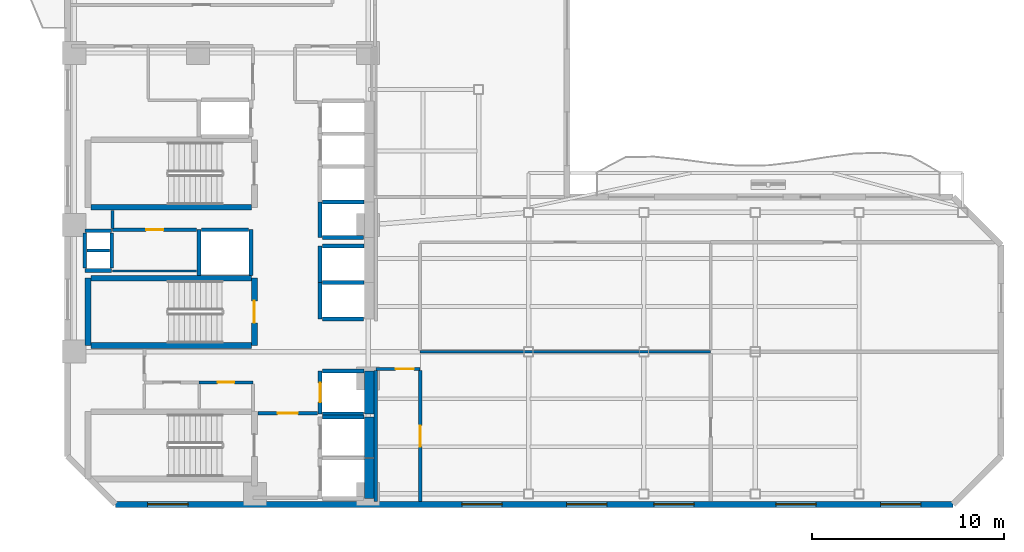
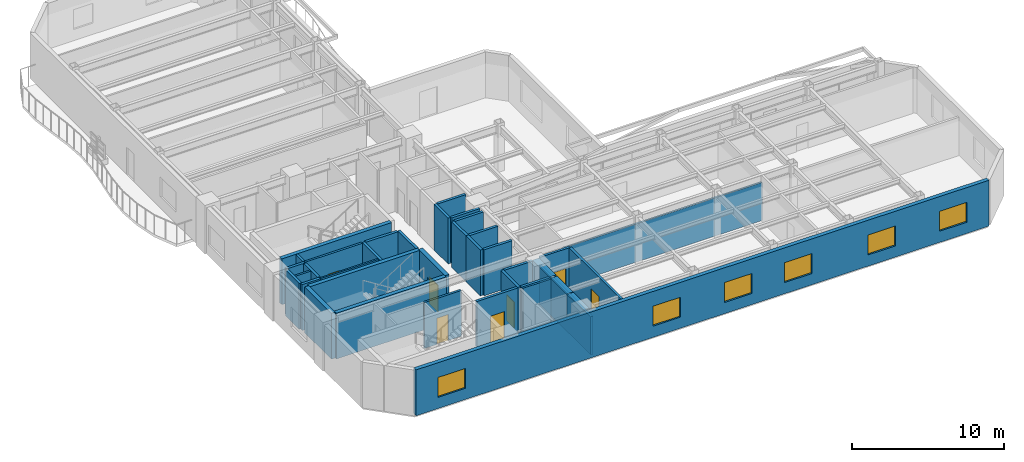
# One storey, part 3 of 9: 38 walls, 7 doors, 6 windows, 13 openings.
"""IFC4 building model written with IfcOpenShell, lengths in metres."""

from ifc_helpers import new_model, si_unit, direction, frame, frame_2d, origin, place, context, subcontext, project, spatial, rectangle, extrude, material, layer, layer_set, type_object, element, fill, save


model = new_model("IFC4")

# Units and contexts
model_context = context("Model", 3, precision=1e-05, world=origin(), true_north=direction((0.0, 1.0)))
body_context = subcontext(model_context, "Body", "Model", "MODEL_VIEW")
ifc_project = project(units=[si_unit("LENGTHUNIT", "METRE"), si_unit("AREAUNIT", "SQUARE_METRE"), si_unit("VOLUMEUNIT", "CUBIC_METRE"), si_unit("PLANEANGLEUNIT", "RADIAN"), si_unit("MASSUNIT", "GRAM", prefix="KILO")], contexts=[model_context])

# Site, building, storey
site_placement = place(None, origin())
site = spatial("IfcSite", under=ifc_project, at=site_placement, CompositionType="ELEMENT")
building_placement = place(site_placement, origin())
building = spatial("IfcBuilding", under=site, at=building_placement, Name="Mawjaban Terraces University", CompositionType="ELEMENT")
storey_placement = place(building_placement, frame((0.0, 0.0, 115.10009765625)))
storey = spatial("IfcBuildingStorey", under=building, at=storey_placement, Name="L27", CompositionType="ELEMENT", Elevation=115.10009765625)

# Wall, opening, door
ifc_material_1 = material(Name="Acoustic masonry blockwork", Category="masonry")
ifc_layer_1 = layer(ifc_material_1, 0.179931640625)
ifc_layer_set_1 = layer_set([ifc_layer_1], Name="Acoustic masonry blockwork")
wall_type_1 = type_object("IfcWallType", Name="AcousticStudioWall_180", PredefinedType="PARTITIONING", material=ifc_layer_set_1)
wall_1_placement = place(storey_placement, frame((38.050048828125, 7.050048828125, 0.0), z_axis=(0.0, 0.0, 1.0), x_axis=(1.0, 0.0, 0.0)))
wall_1 = element("IfcWall", 1, at=wall_1_placement, inside=storey, type_object=wall_type_1, Name="L27 Inner Gallery Link Corridor Partition 16", PredefinedType="PARTITIONING", context=body_context, shape_type="SweptSolid", body=[
    extrude(rectangle(XDim=2.300048828125, YDim=0.179931640625, at=frame_2d((1.14990234375, 0.0))), origin(), (0.0, 0.0, 1.0), 3.68994140625),
])
opening_1_placement = place(wall_1_placement, frame((1.02490234375, 0.0, 0.0)))
opening_1 = element("IfcOpeningElement", 2, at=opening_1_placement, cuts=wall_1, Name="Opening ID-095", PredefinedType="OPENING", context=body_context, shape_type="SweptSolid", body=[
    extrude(rectangle(XDim=0.949951171875, YDim=2.10009765625, at=frame_2d((0.47509765625, 1.050048828125))), frame((0.0, 0.099853515625, 0.0), z_axis=(0.0, -1.0, 0.0), x_axis=(1.0, 0.0, 0.0)), (0.0, 0.0, 1.0), 0.199951171875),
])
ifc_material_2 = material(Name="Powder-coated steel frame and solid acoustic timber leaf", Category="steel")
door_type_1 = type_object("IfcDoorType", Name="StudioDoor_950x2100", OperationType="NOTDEFINED", PredefinedType="DOOR", material=ifc_material_2)
door_1_placement = place(opening_1_placement, origin())
door_1 = element("IfcDoor", 3, at=door_1_placement, inside=storey, type_object=door_type_1, Name="L27 Design Studio 1 Door", OperationType="SINGLE_SWING_RIGHT", OverallHeight=2.10009765625, OverallWidth=0.949951171875, PredefinedType="DOOR", context=body_context, shape_type="SweptSolid", body=[
    extrude(rectangle(XDim=0.949951171875, YDim=2.10009765625, at=frame_2d((0.47509765625, 1.050048828125))), frame((0.0, 0.02490234375, 0.0), z_axis=(0.0, -1.0, 0.0), x_axis=(1.0, 0.0, 0.0)), (0.0, 0.0, 1.0), 0.050048828125),
])
fill(opening_1, door_1)

# Wall
wall_2_placement = place(storey_placement, frame((38.050048828125, 6.965087890625, 0.0), z_axis=(0.0, 0.0, 1.0), x_axis=(0.0, -1.0, 0.0)))
element("IfcWall", 4, at=wall_2_placement, inside=storey, type_object=wall_type_1, Name="L27 Design Studio 1 Partition 38", PredefinedType="PARTITIONING", context=body_context, shape_type="SweptSolid", body=[
    extrude(rectangle(XDim=6.820068359375, YDim=0.179931640625, at=frame_2d((3.41015625, 0.0))), origin(), (0.0, 0.0, 1.0), 3.072998046875),
])

# Wall, opening, door
wall_3_placement = place(storey_placement, frame((40.35009765625, 0.14501953125, 0.0), z_axis=(0.0, 0.0, 1.0), x_axis=(0.0, 1.0, 0.0)))
wall_3 = element("IfcWall", 5, at=wall_3_placement, inside=storey, type_object=wall_type_1, Name="L27 Design Studio 1 Partition 41", PredefinedType="PARTITIONING", context=body_context, shape_type="SweptSolid", body=[
    extrude(rectangle(XDim=6.820068359375, YDim=0.179931640625, at=frame_2d((3.41015625, 0.0))), origin(), (0.0, 0.0, 1.0), 3.68994140625),
])
opening_2_placement = place(wall_3_placement, frame((2.860107421875, 0.0, 0.0)))
opening_2 = element("IfcOpeningElement", 6, at=opening_2_placement, cuts=wall_3, Name="Opening ID-110", PredefinedType="OPENING", context=body_context, shape_type="SweptSolid", body=[
    extrude(rectangle(XDim=1.10009765625, YDim=2.14990234375, at=frame_2d((0.550048828125, 1.074951171875))), frame((0.0, 0.099853515625, 0.0), z_axis=(0.0, -1.0, 0.0), x_axis=(1.0, 0.0, 0.0)), (0.0, 0.0, 1.0), 0.199951171875),
])
door_type_2 = type_object("IfcDoorType", Name="LabDoor_1100x2150", OperationType="NOTDEFINED", PredefinedType="DOOR", material=ifc_material_2)
door_2_placement = place(opening_2_placement, origin())
door_2 = element("IfcDoor", 7, at=door_2_placement, inside=storey, type_object=door_type_2, Name="L27 Computational Laboratory 2 Door", OperationType="SINGLE_SWING_LEFT", OverallHeight=2.14990234375, OverallWidth=1.10009765625, PredefinedType="DOOR", context=body_context, shape_type="SweptSolid", body=[
    extrude(rectangle(XDim=1.10009765625, YDim=2.14990234375, at=frame_2d((0.550048828125, 1.074951171875))), frame((0.0, 0.02490234375, 0.0), z_axis=(0.0, -1.0, 0.0), x_axis=(1.0, 0.0, 0.0)), (0.0, 0.0, 1.0), 0.050048828125),
])
fill(opening_2, door_2)

# Walls
ifc_material_3 = material(Name="Concrete C60/75", Category="concrete")
ifc_layer_2 = layer(ifc_material_3, 0.5)
ifc_layer_set_2 = layer_set([ifc_layer_2], Name="Concrete C60/75")
wall_type_2 = type_object("IfcWallType", Name="CoreShearWall_500", PredefinedType="SHEAR", material=ifc_layer_set_2)
wall_4_placement = place(storey_placement, frame((37.699951171875, 0.300048828125, 0.0), z_axis=(0.0, 0.0, 1.0), x_axis=(0.0, 1.0, 0.0)))
element("IfcWall", 8, at=wall_4_placement, inside=storey, type_object=wall_type_2, Name="L27 Lift FL-1 Hoistway Wall East", PredefinedType="SHEAR", context=body_context, shape_type="SweptSolid", body=[
    extrude(rectangle(XDim=2.099853515625, YDim=0.5, at=frame_2d((1.0498046875, 0.0))), origin(), (0.0, 0.0, 1.0), 3.68994140625),
])
wall_5_placement = place(storey_placement, frame((37.699951171875, 2.449951171875, 0.0), z_axis=(0.0, 0.0, 1.0), x_axis=(0.0, 1.0, 0.0)))
element("IfcWall", 9, at=wall_5_placement, inside=storey, type_object=wall_type_2, Name="L27 Lift FL-2 Hoistway Wall East", PredefinedType="SHEAR", context=body_context, shape_type="SweptSolid", body=[
    extrude(rectangle(XDim=2.10009765625, YDim=0.5, at=frame_2d((1.050048828125, 0.0))), origin(), (0.0, 0.0, 1.0), 3.68994140625),
])
wall_6_placement = place(storey_placement, frame((37.699951171875, 4.699951171875, 0.0), z_axis=(0.0, 0.0, 1.0), x_axis=(0.0, 1.0, 0.0)))
element("IfcWall", 10, at=wall_6_placement, inside=storey, type_object=wall_type_2, Name="L27 Lift SL-1 Hoistway Wall East", PredefinedType="SHEAR", context=body_context, shape_type="SweptSolid", body=[
    extrude(rectangle(XDim=2.25, YDim=0.5, at=frame_2d((1.125, 0.0))), origin(), (0.0, 0.0, 1.0), 3.68994140625),
])

# Wall, opening, door
ifc_material_4 = material(Name="Fire-rated gypsum board on steel stud", Category="steel")
ifc_layer_3 = layer(ifc_material_4, 0.159912109375)
ifc_layer_set_3 = layer_set([ifc_layer_3], Name="Fire-rated gypsum board on steel stud")
wall_type_3 = type_object("IfcWallType", Name="CorridorPartition_160", PredefinedType="PARTITIONING", material=ifc_layer_set_3)
wall_7_placement = place(storey_placement, frame((24.35009765625, 14.300048828125, 0.0), z_axis=(0.0, 0.0, 1.0), x_axis=(1.0, 0.0, 0.0)))
wall_7 = element("IfcWall", 11, at=wall_7_placement, inside=storey, type_object=wall_type_3, Name="L27 Core Riser Access Passage Partition 2", PredefinedType="PARTITIONING", context=body_context, shape_type="SweptSolid", body=[
    extrude(rectangle(XDim=4.369873046875, YDim=0.159912109375, at=frame_2d((2.18505859375, 0.0))), origin(), (0.0, 0.0, 1.0), 3.68994140625),
])
opening_3_placement = place(wall_7_placement, frame((1.735107421875, 0.0, 0.0)))
opening_3 = element("IfcOpeningElement", 12, at=opening_3_placement, cuts=wall_7, Name="Opening ID-090", PredefinedType="OPENING", context=body_context, shape_type="SweptSolid", body=[
    extrude(rectangle(XDim=0.89990234375, YDim=2.10009765625, at=frame_2d((0.449951171875, 1.050048828125))), frame((0.0, 0.08984375, 0.0), z_axis=(0.0, -1.0, 0.0), x_axis=(1.0, 0.0, 0.0)), (0.0, 0.0, 1.0), 0.179931640625),
])
door_type_3 = type_object("IfcDoorType", Name="OfficeDoor_900x2100", OperationType="NOTDEFINED", PredefinedType="DOOR", material=ifc_material_2)
door_3_placement = place(opening_3_placement, origin())
door_3 = element("IfcDoor", 13, at=door_3_placement, inside=storey, type_object=door_type_3, Name="L27 Cleaner Store Door", OperationType="SINGLE_SWING_RIGHT", OverallHeight=2.10009765625, OverallWidth=0.89990234375, PredefinedType="DOOR", context=body_context, shape_type="SweptSolid", body=[
    extrude(rectangle(XDim=0.89990234375, YDim=2.10009765625, at=frame_2d((0.449951171875, 1.050048828125))), frame((0.0, 0.02490234375, 0.0), z_axis=(0.0, -1.0, 0.0), x_axis=(1.0, 0.0, 0.0)), (0.0, 0.0, 1.0), 0.050048828125),
])
fill(opening_3, door_3)

wall_8_placement = place(storey_placement, frame((28.85009765625, 6.35009765625, 0.0), z_axis=(0.0, 0.0, 1.0), x_axis=(1.0, 0.0, 0.0)))
wall_8 = element("IfcWall", 14, at=wall_8_placement, inside=storey, type_object=wall_type_3, Name="L27 Core Washroom Lobby Partition 6", PredefinedType="PARTITIONING", context=body_context, shape_type="SweptSolid", body=[
    extrude(rectangle(XDim=2.7998046875, YDim=0.159912109375, at=frame_2d((1.39990234375, 0.0))), origin(), (0.0, 0.0, 1.0), 3.68994140625),
])
opening_4_placement = place(wall_8_placement, frame((0.9599609375, 0.0, 0.0)))
opening_4 = element("IfcOpeningElement", 15, at=opening_4_placement, cuts=wall_8, Name="Opening ID-088", PredefinedType="OPENING", context=body_context, shape_type="SweptSolid", body=[
    extrude(rectangle(XDim=0.8798828125, YDim=2.10009765625, at=frame_2d((0.43994140625, 1.050048828125))), frame((0.0, 0.08984375, 0.0), z_axis=(0.0, -1.0, 0.0), x_axis=(1.0, 0.0, 0.0)), (0.0, 0.0, 1.0), 0.179931640625),
])
door_type_4 = type_object("IfcDoorType", Name="ToiletDoor_880x2100", OperationType="NOTDEFINED", PredefinedType="DOOR", material=ifc_material_2)
door_4_placement = place(opening_4_placement, origin())
door_4 = element("IfcDoor", 16, at=door_4_placement, inside=storey, type_object=door_type_4, Name="L27 Accessible Toilet Door", OperationType="SINGLE_SWING_LEFT", OverallHeight=2.10009765625, OverallWidth=0.8798828125, PredefinedType="DOOR", context=body_context, shape_type="SweptSolid", body=[
    extrude(rectangle(XDim=0.8798828125, YDim=2.10009765625, at=frame_2d((0.43994140625, 1.050048828125))), frame((0.0, 0.02490234375, 0.0), z_axis=(0.0, -1.0, 0.0), x_axis=(1.0, 0.0, 0.0)), (0.0, 0.0, 1.0), 0.050048828125),
])
fill(opening_4, door_4)

# Wall
wall_9_placement = place(storey_placement, frame((24.35009765625, 15.2900390625, 0.0), z_axis=(0.0, 0.0, 1.0), x_axis=(0.0, -1.0, 0.0)))
element("IfcWall", 17, at=wall_9_placement, inside=storey, type_object=wall_type_3, Name="L27 Core Riser Access Passage Partition 23", PredefinedType="PARTITIONING", context=body_context, shape_type="SweptSolid", body=[
    extrude(rectangle(XDim=0.9150390625, YDim=0.159912109375, at=frame_2d((0.45751953125, 0.0))), origin(), (0.0, 0.0, 1.0), 3.68994140625),
])

# Wall, openings, windows
ifc_material_5 = material(Name="Insulated terracotta rainscreen on concrete backup C40/50", Category="masonry")
ifc_layer_4 = layer(ifc_material_5, 0.300048828125)
ifc_layer_set_4 = layer_set([ifc_layer_4], Name="Insulated terracotta rainscreen on concrete backup C40/50")
wall_type_4 = type_object("IfcWallType", Name="ExtTerracottaWall_300", PredefinedType="SOLIDWALL", material=ifc_layer_set_4)
wall_10_placement = place(storey_placement, frame((24.5, 0.0, 0.0), z_axis=(0.0, 0.0, 1.0), x_axis=(1.0, 0.0, 0.0)))
wall_10 = element("IfcWall", 18, at=wall_10_placement, inside=storey, type_object=wall_type_4, Name="L27 Exterior Terracotta Wall 1", PredefinedType="SOLIDWALL", context=body_context, shape_type="SweptSolid", body=[
    extrude(rectangle(XDim=43.60009765625, YDim=0.300048828125, at=frame_2d((21.800048828125, 0.0))), origin(), (0.0, 0.0, 1.0), 3.68994140625),
])
opening_5_placement = place(wall_10_placement, frame((1.675048828125, 0.0, 0.89990234375)))
opening_5 = element("IfcOpeningElement", 19, at=opening_5_placement, cuts=wall_10, Name="Opening W-04", PredefinedType="OPENING", context=body_context, shape_type="SweptSolid", body=[
    extrude(rectangle(XDim=2.10009765625, YDim=1.60009765625, at=frame_2d((1.050048828125, 0.800048828125))), frame((0.0, 0.159912109375, 0.0), z_axis=(0.0, -1.0, 0.0), x_axis=(1.0, 0.0, 0.0)), (0.0, 0.0, 1.0), 0.320068359375),
])
opening_6_placement = place(wall_10_placement, frame((18.02490234375, 0.0, 0.89990234375)))
opening_6 = element("IfcOpeningElement", 20, at=opening_6_placement, cuts=wall_10, Name="Opening W-04", PredefinedType="OPENING", context=body_context, shape_type="SweptSolid", body=[
    extrude(rectangle(XDim=2.10009765625, YDim=1.60009765625, at=frame_2d((1.050048828125, 0.800048828125))), frame((0.0, 0.159912109375, 0.0), z_axis=(0.0, -1.0, 0.0), x_axis=(1.0, 0.0, 0.0)), (0.0, 0.0, 1.0), 0.320068359375),
])
opening_7_placement = place(wall_10_placement, frame((23.47509765625, 0.0, 0.89990234375)))
opening_7 = element("IfcOpeningElement", 21, at=opening_7_placement, cuts=wall_10, Name="Opening W-04", PredefinedType="OPENING", context=body_context, shape_type="SweptSolid", body=[
    extrude(rectangle(XDim=2.10009765625, YDim=1.60009765625, at=frame_2d((1.050048828125, 0.800048828125))), frame((0.0, 0.159912109375, 0.0), z_axis=(0.0, -1.0, 0.0), x_axis=(1.0, 0.0, 0.0)), (0.0, 0.0, 1.0), 0.320068359375),
])
opening_8_placement = place(wall_10_placement, frame((28.02490234375, 0.0, 0.89990234375)))
opening_8 = element("IfcOpeningElement", 22, at=opening_8_placement, cuts=wall_10, Name="Opening W-04", PredefinedType="OPENING", context=body_context, shape_type="SweptSolid", body=[
    extrude(rectangle(XDim=2.10009765625, YDim=1.60009765625, at=frame_2d((1.050048828125, 0.800048828125))), frame((0.0, 0.159912109375, 0.0), z_axis=(0.0, -1.0, 0.0), x_axis=(1.0, 0.0, 0.0)), (0.0, 0.0, 1.0), 0.320068359375),
])
opening_9_placement = place(wall_10_placement, frame((34.375, 0.0, 0.89990234375)))
opening_9 = element("IfcOpeningElement", 23, at=opening_9_placement, cuts=wall_10, Name="Opening W-04", PredefinedType="OPENING", context=body_context, shape_type="SweptSolid", body=[
    extrude(rectangle(XDim=2.10009765625, YDim=1.60009765625, at=frame_2d((1.050048828125, 0.800048828125))), frame((0.0, 0.159912109375, 0.0), z_axis=(0.0, -1.0, 0.0), x_axis=(1.0, 0.0, 0.0)), (0.0, 0.0, 1.0), 0.320068359375),
])
opening_10_placement = place(wall_10_placement, frame((39.824951171875, 0.0, 0.89990234375)))
opening_10 = element("IfcOpeningElement", 24, at=opening_10_placement, cuts=wall_10, Name="Opening W-04", PredefinedType="OPENING", context=body_context, shape_type="SweptSolid", body=[
    extrude(rectangle(XDim=2.10009765625, YDim=1.60009765625, at=frame_2d((1.050048828125, 0.800048828125))), frame((0.0, 0.159912109375, 0.0), z_axis=(0.0, -1.0, 0.0), x_axis=(1.0, 0.0, 0.0)), (0.0, 0.0, 1.0), 0.320068359375),
])
ifc_material_6 = material(Name="Low-E solar-control double glazing in thermally broken aluminium frame", Category="aluminium")
window_type = type_object("IfcWindowType", Name="Win_2100x1600", PartitioningType="SINGLE_PANEL", PredefinedType="WINDOW", material=ifc_material_6)
window_1_placement = place(opening_5_placement, origin())
window_1 = element("IfcWindow", 25, at=window_1_placement, inside=storey, type_object=window_type, Name="L27 Facade Window 1.1", OverallHeight=1.60009765625, OverallWidth=2.10009765625, PartitioningType="SINGLE_PANEL", PredefinedType="WINDOW", context=body_context, shape_type="SweptSolid", body=[
    extrude(rectangle(XDim=2.10009765625, YDim=1.60009765625, at=frame_2d((1.050048828125, 0.800048828125))), frame((0.0, 0.030029296875, 0.0), z_axis=(0.0, -1.0, 0.0), x_axis=(1.0, 0.0, 0.0)), (0.0, 0.0, 1.0), 0.06005859375),
])
fill(opening_5, window_1)
window_2_placement = place(opening_6_placement, origin())
window_2 = element("IfcWindow", 26, at=window_2_placement, inside=storey, type_object=window_type, Name="L27 Facade Window 1.4", OverallHeight=1.60009765625, OverallWidth=2.10009765625, PartitioningType="SINGLE_PANEL", PredefinedType="WINDOW", context=body_context, shape_type="SweptSolid", body=[
    extrude(rectangle(XDim=2.10009765625, YDim=1.60009765625, at=frame_2d((1.050048828125, 0.800048828125))), frame((0.0, 0.030029296875, 0.0), z_axis=(0.0, -1.0, 0.0), x_axis=(1.0, 0.0, 0.0)), (0.0, 0.0, 1.0), 0.06005859375),
])
fill(opening_6, window_2)
window_3_placement = place(opening_7_placement, origin())
window_3 = element("IfcWindow", 27, at=window_3_placement, inside=storey, type_object=window_type, Name="L27 Facade Window 1.5", OverallHeight=1.60009765625, OverallWidth=2.10009765625, PartitioningType="SINGLE_PANEL", PredefinedType="WINDOW", context=body_context, shape_type="SweptSolid", body=[
    extrude(rectangle(XDim=2.10009765625, YDim=1.60009765625, at=frame_2d((1.050048828125, 0.800048828125))), frame((0.0, 0.030029296875, 0.0), z_axis=(0.0, -1.0, 0.0), x_axis=(1.0, 0.0, 0.0)), (0.0, 0.0, 1.0), 0.06005859375),
])
fill(opening_7, window_3)
window_4_placement = place(opening_8_placement, origin())
window_4 = element("IfcWindow", 28, at=window_4_placement, inside=storey, type_object=window_type, Name="L27 Facade Window 1.6", OverallHeight=1.60009765625, OverallWidth=2.10009765625, PartitioningType="SINGLE_PANEL", PredefinedType="WINDOW", context=body_context, shape_type="SweptSolid", body=[
    extrude(rectangle(XDim=2.10009765625, YDim=1.60009765625, at=frame_2d((1.050048828125, 0.800048828125))), frame((0.0, 0.030029296875, 0.0), z_axis=(0.0, -1.0, 0.0), x_axis=(1.0, 0.0, 0.0)), (0.0, 0.0, 1.0), 0.06005859375),
])
fill(opening_8, window_4)
window_5_placement = place(opening_9_placement, origin())
window_5 = element("IfcWindow", 29, at=window_5_placement, inside=storey, type_object=window_type, Name="L27 Facade Window 1.7", OverallHeight=1.60009765625, OverallWidth=2.10009765625, PartitioningType="SINGLE_PANEL", PredefinedType="WINDOW", context=body_context, shape_type="SweptSolid", body=[
    extrude(rectangle(XDim=2.10009765625, YDim=1.60009765625, at=frame_2d((1.050048828125, 0.800048828125))), frame((0.0, 0.030029296875, 0.0), z_axis=(0.0, -1.0, 0.0), x_axis=(1.0, 0.0, 0.0)), (0.0, 0.0, 1.0), 0.06005859375),
])
fill(opening_9, window_5)
window_6_placement = place(opening_10_placement, origin())
window_6 = element("IfcWindow", 30, at=window_6_placement, inside=storey, type_object=window_type, Name="L27 Facade Window 1.8", OverallHeight=1.60009765625, OverallWidth=2.10009765625, PartitioningType="SINGLE_PANEL", PredefinedType="WINDOW", context=body_context, shape_type="SweptSolid", body=[
    extrude(rectangle(XDim=2.10009765625, YDim=1.60009765625, at=frame_2d((1.050048828125, 0.800048828125))), frame((0.0, 0.030029296875, 0.0), z_axis=(0.0, -1.0, 0.0), x_axis=(1.0, 0.0, 0.0)), (0.0, 0.0, 1.0), 0.06005859375),
])
fill(opening_10, window_6)

# Wall
ifc_material_7 = material(Name="Concrete C40/50", Category="concrete")
ifc_layer_5 = layer(ifc_material_7, 0.199951171875)
ifc_layer_set_5 = layer_set([ifc_layer_5], Name="Concrete C40/50")
wall_type_5 = type_object("IfcWallType", Name="FireLobbyWall_200", PredefinedType="SOLIDWALL", material=ifc_layer_set_5)
wall_11_placement = place(storey_placement, frame((37.419921875, 4.550048828125, 0.0), z_axis=(0.0, 0.0, 1.0), x_axis=(-1.0, 0.0, 0.0)))
element("IfcWall", 31, at=wall_11_placement, inside=storey, type_object=wall_type_5, Name="L27 Lift FL-2 Hoistway Wall North", PredefinedType="SOLIDWALL", context=body_context, shape_type="SweptSolid", body=[
    extrude(rectangle(XDim=2.139892578125, YDim=0.199951171875, at=frame_2d((1.06982421875, 0.0))), origin(), (0.0, 0.0, 1.0), 3.68994140625),
])

# Wall, opening, door
wall_12_placement = place(storey_placement, frame((35.14990234375, 6.949951171875, 0.0), z_axis=(0.0, 0.0, 1.0), x_axis=(0.0, -1.0, 0.0)))
wall_12 = element("IfcWall", 32, at=wall_12_placement, inside=storey, type_object=wall_type_5, Name="L27 Lift SL-1 Hoistway Wall West", PredefinedType="SOLIDWALL", context=body_context, shape_type="SweptSolid", body=[
    extrude(rectangle(XDim=2.25, YDim=0.199951171875, at=frame_2d((1.125, 0.0))), origin(), (0.0, 0.0, 1.0), 3.68994140625),
])
opening_11_placement = place(wall_12_placement, frame((0.625, 0.0, 0.0)))
opening_11 = element("IfcOpeningElement", 33, at=opening_11_placement, cuts=wall_12, Name="Opening LD-SL-1", PredefinedType="OPENING", context=body_context, shape_type="SweptSolid", body=[
    extrude(rectangle(XDim=1.0, YDim=2.10009765625, at=frame_2d((0.5, 1.050048828125))), frame((0.0, 0.10986328125, 0.0), z_axis=(0.0, -1.0, 0.0), x_axis=(1.0, 0.0, 0.0)), (0.0, 0.0, 1.0), 0.219970703125),
])
ifc_material_8 = material(Name="Powder-coated steel frame and fire-rated steel-faced leaf", Category="steel")
door_type_5 = type_object("IfcDoorType", Name="LiftLandingSliding_1000x2100", OperationType="NOTDEFINED", PredefinedType="DOOR", material=ifc_material_8)
door_5_placement = place(opening_11_placement, origin())
door_5 = element("IfcDoor", 34, at=door_5_placement, inside=storey, type_object=door_type_5, Name="L27 Lift SL-1 Sliding Landing Door", OperationType="DOUBLE_DOOR_SLIDING", OverallHeight=2.10009765625, OverallWidth=1.0, PredefinedType="DOOR", context=body_context, shape_type="SweptSolid", body=[
    extrude(rectangle(XDim=1.0, YDim=2.10009765625, at=frame_2d((0.5, 1.050048828125))), frame((0.0, 0.02490234375, 0.0), z_axis=(0.0, -1.0, 0.0), x_axis=(1.0, 0.0, 0.0)), (0.0, 0.0, 1.0), 0.050048828125),
])
fill(opening_11, door_5)

# Walls
for number, where, z_axis, x_axis, name in (
    (35, (35.280029296875, 4.699951171875, 0.0), (0.0, 0.0, 1.0), (1.0, 0.0, 0.0), "L27 Lift SL-1 Hoistway Wall South"),
    (36, (37.419921875, 6.949951171875, 0.0), (0.0, 0.0, 1.0), (-1.0, 0.0, 0.0), "L27 Lift SL-1 Hoistway Wall North"),
):
    element("IfcWall", number, at=place(storey_placement, frame(where, z_axis=z_axis, x_axis=x_axis)), inside=storey, type_object=wall_type_5, Name=name, PredefinedType="SOLIDWALL", context=body_context, shape_type="SweptSolid", body=[
        extrude(rectangle(XDim=2.139892578125, YDim=0.199951171875, at=frame_2d((1.06982421875, 0.0))), origin(), (0.0, 0.0, 1.0), 3.68994140625),
    ])
wall_13_placement = place(storey_placement, frame((35.14990234375, 11.550048828125, 0.0), z_axis=(0.0, 0.0, 1.0), x_axis=(0.0, -1.0, 0.0)))
element("IfcWall", 37, at=wall_13_placement, inside=storey, type_object=wall_type_5, Name="L27 Lift PL-H1 Hoistway Wall West", PredefinedType="SOLIDWALL", context=body_context, shape_type="SweptSolid", body=[
    extrude(rectangle(XDim=1.900146484375, YDim=0.199951171875, at=frame_2d((0.9501953125, 0.0))), origin(), (0.0, 0.0, 1.0), 3.68994140625),
])
for number, where, z_axis, x_axis, name in (
    (38, (35.280029296875, 9.64990234375, 0.0), (0.0, 0.0, 1.0), (1.0, 0.0, 0.0), "L27 Lift PL-H1 Hoistway Wall South"),
    (39, (37.419921875, 11.550048828125, 0.0), (0.0, 0.0, 1.0), (-1.0, 0.0, 0.0), "L27 Lift PL-H1 Hoistway Wall North"),
):
    element("IfcWall", number, at=place(storey_placement, frame(where, z_axis=z_axis, x_axis=x_axis)), inside=storey, type_object=wall_type_5, Name=name, PredefinedType="SOLIDWALL", context=body_context, shape_type="SweptSolid", body=[
        extrude(rectangle(XDim=2.139892578125, YDim=0.199951171875, at=frame_2d((1.06982421875, 0.0))), origin(), (0.0, 0.0, 1.0), 3.68994140625),
    ])
wall_14_placement = place(storey_placement, frame((35.14990234375, 13.449951171875, 0.0), z_axis=(0.0, 0.0, 1.0), x_axis=(0.0, -1.0, 0.0)))
element("IfcWall", 40, at=wall_14_placement, inside=storey, type_object=wall_type_5, Name="L27 Lift PL-H2 Hoistway Wall West", PredefinedType="SOLIDWALL", context=body_context, shape_type="SweptSolid", body=[
    extrude(rectangle(XDim=1.89990234375, YDim=0.199951171875, at=frame_2d((0.949951171875, 0.0))), origin(), (0.0, 0.0, 1.0), 3.68994140625),
])
wall_15_placement = place(storey_placement, frame((37.419921875, 13.449951171875, 0.0), z_axis=(0.0, 0.0, 1.0), x_axis=(-1.0, 0.0, 0.0)))
element("IfcWall", 41, at=wall_15_placement, inside=storey, type_object=wall_type_5, Name="L27 Lift PL-H2 Hoistway Wall North", PredefinedType="SOLIDWALL", context=body_context, shape_type="SweptSolid", body=[
    extrude(rectangle(XDim=2.139892578125, YDim=0.199951171875, at=frame_2d((1.06982421875, 0.0))), origin(), (0.0, 0.0, 1.0), 3.68994140625),
])
for number, where, z_axis, x_axis, name in (
    (42, (28.85009765625, 14.300048828125, 0.0), (0.0, 0.0, 1.0), (0.0, -1.0, 0.0), "L27 Lift PL-H3 Hoistway Wall West"),
    (43, (31.550048828125, 11.929931640625, 0.0), (0.0, 0.0, 1.0), (0.0, 1.0, 0.0), "L27 Lift PL-H3 Hoistway Wall East"),
):
    element("IfcWall", number, at=place(storey_placement, frame(where, z_axis=z_axis, x_axis=x_axis)), inside=storey, type_object=wall_type_5, Name=name, PredefinedType="SOLIDWALL", context=body_context, shape_type="SweptSolid", body=[
        extrude(rectangle(XDim=2.3701171875, YDim=0.199951171875, at=frame_2d((1.18505859375, 0.0))), origin(), (0.0, 0.0, 1.0), 3.68994140625),
    ])
wall_16_placement = place(storey_placement, frame((31.419921875, 14.300048828125, 0.0), z_axis=(0.0, 0.0, 1.0), x_axis=(-1.0, 0.0, 0.0)))
element("IfcWall", 44, at=wall_16_placement, inside=storey, type_object=wall_type_5, Name="L27 Lift PL-H3 Hoistway Wall North", PredefinedType="SOLIDWALL", context=body_context, shape_type="SweptSolid", body=[
    extrude(rectangle(XDim=2.43994140625, YDim=0.199951171875, at=frame_2d((1.219970703125, 0.0))), origin(), (0.0, 0.0, 1.0), 3.68994140625),
])
wall_17_placement = place(storey_placement, frame((35.14990234375, 15.75, 0.0), z_axis=(0.0, 0.0, 1.0), x_axis=(0.0, -1.0, 0.0)))
element("IfcWall", 45, at=wall_17_placement, inside=storey, type_object=wall_type_5, Name="L27 Lift OL-1 Hoistway Wall West", PredefinedType="SOLIDWALL", context=body_context, shape_type="SweptSolid", body=[
    extrude(rectangle(XDim=1.85009765625, YDim=0.199951171875, at=frame_2d((0.925048828125, 0.0))), origin(), (0.0, 0.0, 1.0), 3.68994140625),
])
for number, where, z_axis, x_axis, name in (
    (46, (35.280029296875, 13.89990234375, 0.0), (0.0, 0.0, 1.0), (1.0, 0.0, 0.0), "L27 Lift OL-1 Hoistway Wall South"),
    (47, (37.419921875, 15.75, 0.0), (0.0, 0.0, 1.0), (-1.0, 0.0, 0.0), "L27 Lift OL-1 Hoistway Wall North"),
):
    element("IfcWall", number, at=place(storey_placement, frame(where, z_axis=z_axis, x_axis=x_axis)), inside=storey, type_object=wall_type_5, Name=name, PredefinedType="SOLIDWALL", context=body_context, shape_type="SweptSolid", body=[
        extrude(rectangle(XDim=2.139892578125, YDim=0.199951171875, at=frame_2d((1.06982421875, 0.0))), origin(), (0.0, 0.0, 1.0), 3.68994140625),
    ])
for number, where, z_axis, x_axis, name in (
    (48, (22.89990234375, 14.25, 0.0), (0.0, 0.0, 1.0), (1.0, 0.0, 0.0), "L27 MEP Riser Shaft Wall N"),
    (49, (22.89990234375, 12.179931640625, 0.0), (0.0, 0.0, 1.0), (1.0, 0.0, 0.0), "L27 MEP Riser Shaft Wall S"),
):
    element("IfcWall", number, at=place(storey_placement, frame(where, z_axis=z_axis, x_axis=x_axis)), inside=storey, type_object=wall_type_5, Name=name, PredefinedType="SOLIDWALL", context=body_context, shape_type="SweptSolid", body=[
        extrude(rectangle(XDim=1.400146484375, YDim=0.199951171875, at=frame_2d((0.7001953125, 0.0))), origin(), (0.0, 0.0, 1.0), 3.68994140625),
    ])
for number, where, z_axis, x_axis, name in (
    (50, (24.300048828125, 12.300048828125, 0.0), (0.0, 0.0, 1.0), (0.0, 1.0, 0.0), "L27 MEP Riser Shaft Wall E"),
    (51, (22.89990234375, 12.300048828125, 0.0), (0.0, 0.0, 1.0), (0.0, 1.0, 0.0), "L27 MEP Riser Shaft Wall W"),
):
    element("IfcWall", number, at=place(storey_placement, frame(where, z_axis=z_axis, x_axis=x_axis)), inside=storey, type_object=wall_type_5, Name=name, PredefinedType="SOLIDWALL", context=body_context, shape_type="SweptSolid", body=[
        extrude(rectangle(XDim=1.829833984375, YDim=0.199951171875, at=frame_2d((0.9150390625, 0.0))), origin(), (0.0, 0.0, 1.0), 3.68994140625),
    ])

# Wall, opening, door
wall_18_placement = place(storey_placement, frame((35.02001953125, 4.75, 0.0), z_axis=(0.0, 0.0, 1.0), x_axis=(-1.0, 0.0, 0.0)))
wall_18 = element("IfcWall", 52, at=wall_18_placement, inside=storey, type_object=wall_type_5, Name="L27 Firefighting Lift Lobby Partition 9", PredefinedType="SOLIDWALL", context=body_context, shape_type="SweptSolid", body=[
    extrude(rectangle(XDim=3.110107421875, YDim=0.199951171875, at=frame_2d((1.55517578125, 0.0))), origin(), (0.0, 0.0, 1.0), 3.68994140625),
])
opening_12_placement = place(wall_18_placement, frame((1.030029296875, 0.0, 0.0)))
opening_12 = element("IfcOpeningElement", 53, at=opening_12_placement, cuts=wall_18, Name="Opening FD-105", PredefinedType="OPENING", context=body_context, shape_type="SweptSolid", body=[
    extrude(rectangle(XDim=1.050048828125, YDim=2.14990234375, at=frame_2d((0.52490234375, 1.074951171875))), frame((0.0, 0.10986328125, 0.0), z_axis=(0.0, -1.0, 0.0), x_axis=(1.0, 0.0, 0.0)), (0.0, 0.0, 1.0), 0.219970703125),
])
door_type_6 = type_object("IfcDoorType", Name="FireLobbyDoor_1050x2150", OperationType="NOTDEFINED", PredefinedType="DOOR", material=ifc_material_8)
door_6_placement = place(opening_12_placement, origin())
door_6 = element("IfcDoor", 54, at=door_6_placement, inside=storey, type_object=door_type_6, Name="L27 Firefighting Lift Lobby Door", OperationType="SINGLE_SWING_RIGHT", OverallHeight=2.14990234375, OverallWidth=1.050048828125, PredefinedType="DOOR", context=body_context, shape_type="SweptSolid", body=[
    extrude(rectangle(XDim=1.050048828125, YDim=2.14990234375, at=frame_2d((0.52490234375, 1.074951171875))), frame((0.0, 0.02490234375, 0.0), z_axis=(0.0, -1.0, 0.0), x_axis=(1.0, 0.0, 0.0)), (0.0, 0.0, 1.0), 0.050048828125),
])
fill(opening_12, door_6)

# Walls
ifc_material_9 = material(Name="Moisture-resistant gypsum board on steel stud", Category="steel")
ifc_layer_6 = layer(ifc_material_9, 0.14501953125)
ifc_layer_set_6 = layer_set([ifc_layer_6], Name="Moisture-resistant gypsum board on steel stud")
wall_type_6 = type_object("IfcWallType", Name="LabPartition_145", PredefinedType="PARTITIONING", material=ifc_layer_set_6)
wall_19_placement = place(storey_placement, frame((23.010009765625, 13.22509765625, 0.0), z_axis=(0.0, 0.0, 1.0), x_axis=(1.0, 0.0, 0.0)))
element("IfcWall", 55, at=wall_19_placement, inside=storey, type_object=wall_type_6, Name="L27 MEP Riser Shaft Wall M", PredefinedType="PARTITIONING", context=body_context, shape_type="SweptSolid", body=[
    extrude(rectangle(XDim=1.179931640625, YDim=0.14501953125, at=frame_2d((0.58984375, 0.0))), origin(), (0.0, 0.0, 1.0), 3.68994140625),
])
wall_20_placement = place(storey_placement, frame((55.47998046875, 7.949951171875, 0.0), z_axis=(0.0, 0.0, 1.0), x_axis=(-1.0, 0.0, 0.0)))
element("IfcWall", 56, at=wall_20_placement, inside=storey, type_object=wall_type_6, Name="L27 Computational Laboratory 2 Partition 20", PredefinedType="PARTITIONING", context=body_context, shape_type="SweptSolid", body=[
    extrude(rectangle(XDim=15.1298828125, YDim=0.14501953125, at=frame_2d((7.56494140625, 0.0))), origin(), (0.0, 0.0, 1.0), 3.072998046875),
])
ifc_material_10 = material(Name="Gypsum plasterboard on steel stud", Category="steel")
ifc_layer_7 = layer(ifc_material_10, 0.125)
ifc_layer_set_7 = layer_set([ifc_layer_7], Name="Gypsum plasterboard on steel stud")
wall_type_7 = type_object("IfcWallType", Name="OfficePartition_125", PredefinedType="PARTITIONING", material=ifc_layer_set_7)
wall_21_placement = place(storey_placement, frame((24.35009765625, 12.14990234375, 0.0), z_axis=(0.0, 0.0, 1.0), x_axis=(1.0, 0.0, 0.0)))
element("IfcWall", 57, at=wall_21_placement, inside=storey, type_object=wall_type_7, Name="L27 Cleaner Store Partition 1", PredefinedType="PARTITIONING", context=body_context, shape_type="SweptSolid", body=[
    extrude(rectangle(XDim=4.369873046875, YDim=0.125, at=frame_2d((2.18505859375, 0.0))), origin(), (0.0, 0.0, 1.0), 3.68994140625),
])
ifc_layer_8 = layer(ifc_material_3, 0.300048828125)
ifc_layer_set_8 = layer_set([ifc_layer_8], Name="Concrete C60/75")
wall_type_8 = type_object("IfcWallType", Name="StairShaftWall_300", PredefinedType="SHEAR", material=ifc_layer_set_8)
for number, where, z_axis, x_axis, name in (
    (58, (23.219970703125, 15.469970703125, 0.0), (0.0, 0.0, 1.0), (1.0, 0.0, 0.0), "L27 ST-2 Stair Shaft Wall 3"),
    (59, (31.580078125, 11.780029296875, 0.0), (0.0, 0.0, 1.0), (-1.0, 0.0, 0.0), "L27 ST-3 Stair Shaft Wall 1"),
):
    element("IfcWall", number, at=place(storey_placement, frame(where, z_axis=z_axis, x_axis=x_axis)), inside=storey, type_object=wall_type_8, Name=name, PredefinedType="SHEAR", context=body_context, shape_type="SweptSolid", body=[
        extrude(rectangle(XDim=8.360107421875, YDim=0.300048828125, at=frame_2d((4.18017578125, 0.0))), origin(), (0.0, 0.0, 1.0), 3.68994140625),
    ])
wall_22_placement = place(storey_placement, frame((23.070068359375, 11.780029296875, 0.0), z_axis=(0.0, 0.0, 1.0), x_axis=(0.0, -1.0, 0.0)))
element("IfcWall", 60, at=wall_22_placement, inside=storey, type_object=wall_type_8, Name="L27 ST-3 Stair Shaft Wall 2", PredefinedType="SHEAR", context=body_context, shape_type="SweptSolid", body=[
    extrude(rectangle(XDim=3.510009765625, YDim=0.300048828125, at=frame_2d((1.7548828125, 0.0))), origin(), (0.0, 0.0, 1.0), 3.68994140625),
])
wall_23_placement = place(storey_placement, frame((23.219970703125, 8.27001953125, 0.0), z_axis=(0.0, 0.0, 1.0), x_axis=(1.0, 0.0, 0.0)))
element("IfcWall", 61, at=wall_23_placement, inside=storey, type_object=wall_type_8, Name="L27 ST-3 Stair Shaft Wall 3", PredefinedType="SHEAR", context=body_context, shape_type="SweptSolid", body=[
    extrude(rectangle(XDim=8.360107421875, YDim=0.300048828125, at=frame_2d((4.18017578125, 0.0))), origin(), (0.0, 0.0, 1.0), 3.68994140625),
])

# Wall, opening, door
wall_24_placement = place(storey_placement, frame((31.72998046875, 8.27001953125, 0.0), z_axis=(0.0, 0.0, 1.0), x_axis=(0.0, 1.0, 0.0)))
wall_24 = element("IfcWall", 62, at=wall_24_placement, inside=storey, type_object=wall_type_8, Name="L27 ST-3 Stair Shaft Wall 4", PredefinedType="SHEAR", context=body_context, shape_type="SweptSolid", body=[
    extrude(rectangle(XDim=3.510009765625, YDim=0.300048828125, at=frame_2d((1.7548828125, 0.0))), origin(), (0.0, 0.0, 1.0), 3.68994140625),
])
opening_13_placement = place(wall_24_placement, frame((1.179931640625, 0.0, 0.0)))
opening_13 = element("IfcOpeningElement", 63, at=opening_13_placement, cuts=wall_24, Name="Opening FD-115", PredefinedType="OPENING", context=body_context, shape_type="SweptSolid", body=[
    extrude(rectangle(XDim=1.14990234375, YDim=2.14990234375, at=frame_2d((0.574951171875, 1.074951171875))), frame((0.0, 0.159912109375, 0.0), z_axis=(0.0, -1.0, 0.0), x_axis=(1.0, 0.0, 0.0)), (0.0, 0.0, 1.0), 0.320068359375),
])
door_type_7 = type_object("IfcDoorType", Name="FireStairDoor_1150x2150", OperationType="NOTDEFINED", PredefinedType="DOOR", material=ifc_material_8)
door_7_placement = place(opening_13_placement, origin())
door_7 = element("IfcDoor", 64, at=door_7_placement, inside=storey, type_object=door_type_7, Name="L27 ST-3 Pressurised Stair Fire Door", OperationType="SINGLE_SWING_LEFT", OverallHeight=2.14990234375, OverallWidth=1.14990234375, PredefinedType="DOOR", context=body_context, shape_type="SweptSolid", body=[
    extrude(rectangle(XDim=1.14990234375, YDim=2.14990234375, at=frame_2d((0.574951171875, 1.074951171875))), frame((0.0, 0.02490234375, 0.0), z_axis=(0.0, -1.0, 0.0), x_axis=(1.0, 0.0, 0.0)), (0.0, 0.0, 1.0), 0.050048828125),
])
fill(opening_13, door_7)

save(model, "model.ifc")
